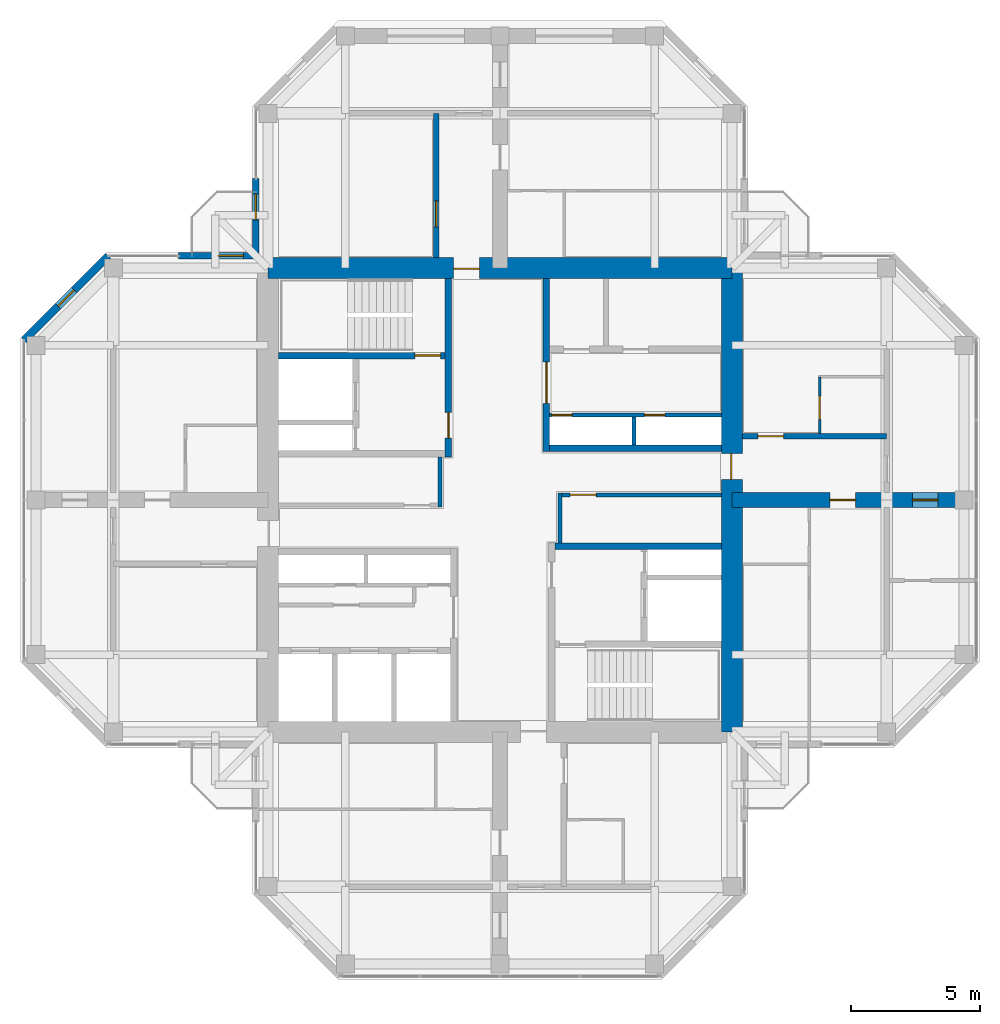
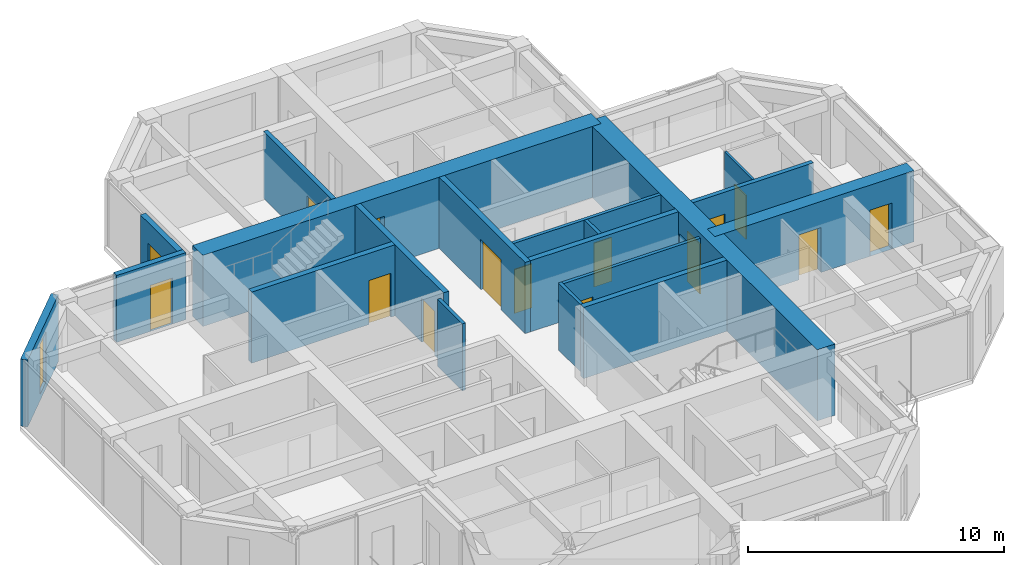
# One storey, part 10 of 13: 19 walls, 15 doors, 1 window, 16 openings.
"""IFC4 building model written with IfcOpenShell, lengths in metres."""

from ifc_helpers import new_model, si_unit, direction, frame, frame_2d, origin, place, context, subcontext, project, spatial, rectangle, hollow_rectangle, extrude, material, layer, layer_set, constituent, constituent_set, type_object, element, fill, save


model = new_model("IFC4")

# Units and contexts
model_context = context("Model", 3, precision=1e-05, world=origin(), true_north=direction((0.0, 1.0)))
body_context = subcontext(model_context, "Body", "Model", "MODEL_VIEW")
ifc_project = project(units=[si_unit("LENGTHUNIT", "METRE"), si_unit("AREAUNIT", "SQUARE_METRE"), si_unit("VOLUMEUNIT", "CUBIC_METRE"), si_unit("PLANEANGLEUNIT", "RADIAN"), si_unit("MASSUNIT", "GRAM", prefix="KILO")], contexts=[model_context])

# Site, building, storey
site_placement = place(None, origin())
site = spatial("IfcSite", under=ifc_project, at=site_placement, CompositionType="ELEMENT")
building_placement = place(site_placement, origin())
building = spatial("IfcBuilding", under=site, at=building_placement, Name="Torre Cruceta", CompositionType="ELEMENT")
storey_placement = place(building_placement, frame((0.0, 0.0, 284.89990234375)))
storey = spatial("IfcBuildingStorey", under=building, at=storey_placement, Name="L74", CompositionType="ELEMENT", Elevation=284.89990234375)

# Wall, opening, door
ifc_material_1 = material(Name="Water-resistant plasterboard on steel studs", Category="steel")
ifc_layer_1 = layer(ifc_material_1, 0.10009765625)
ifc_layer_set_1 = layer_set([ifc_layer_1], Name="Water-resistant plasterboard on steel studs")
wall_type_1 = type_object("IfcWallType", Name="BATHROOM WALL 100", PredefinedType="PARTITIONING", material=ifc_layer_set_1)
wall_1_placement = place(storey_placement, frame((12.39990234375, 2.574951171875, 0.0), z_axis=(0.0, 0.0, 1.0), x_axis=(0.0, 1.0, 0.0)))
wall_1 = element("IfcWall", 1, at=wall_1_placement, inside=storey, type_object=wall_type_1, Name="PT4 L74-E-U1LBS", PredefinedType="PARTITIONING", context=body_context, shape_type="SweptSolid", body=[
    extrude(rectangle(XDim=2.199951171875, YDim=0.10009765625, at=frame_2d((1.10009765625, 0.0))), origin(), (0.0, 0.0, 1.0), 3.2001953125),
])
opening_1_placement = place(wall_1_placement, frame((0.550048828125, 0.0, 0.0)))
opening_1 = element("IfcOpeningElement", 2, at=opening_1_placement, cuts=wall_1, Name="Opening D7", PredefinedType="OPENING", context=body_context, shape_type="SweptSolid", body=[
    extrude(rectangle(XDim=0.89990234375, YDim=2.10009765625, at=frame_2d((0.449951171875, 1.050048828125))), frame((0.0, 0.06005859375, 0.0), z_axis=(0.0, -1.0, 0.0), x_axis=(1.0, 0.0, 0.0)), (0.0, 0.0, 1.0), 0.1201171875),
])
ifc_material_2 = material(Name="Timber door", Category="wood")
door_type_1 = type_object("IfcDoorType", Name="BATHROOM DOOR 900X2100", OperationType="SINGLE_SWING_LEFT", PredefinedType="DOOR", material=ifc_material_2)
door_1_placement = place(opening_1_placement, frame((0.89990234375, 0.0, 0.0), z_axis=(0.0, 0.0, 1.0), x_axis=(-1.0, 0.0, 0.0)))
door_1 = element("IfcDoor", 3, at=door_1_placement, inside=storey, type_object=door_type_1, Name="D7 L74-E-U1LBS-D1", OperationType="SINGLE_SWING_RIGHT", OverallHeight=2.10009765625, OverallWidth=0.89990234375, PredefinedType="DOOR", context=body_context, shape_type="SweptSolid", body=[
    extrude(rectangle(XDim=0.89990234375, YDim=2.10009765625, at=frame_2d((0.449951171875, 1.050048828125))), frame((0.0, 0.025146484375, 0.0), z_axis=(0.0, -1.0, 0.0), x_axis=(1.0, 0.0, 0.0)), (0.0, 0.0, 1.0), 0.050048828125),
])
fill(opening_1, door_1)

ifc_material_3 = material(Name="Concrete G60 (fck 60 MPa)", Category="concrete")
ifc_layer_2 = layer(ifc_material_3, 0.25)
ifc_layer_set_2 = layer_set([ifc_layer_2], Name="Concrete G60 (fck 60 MPa)")
wall_type_2 = type_object("IfcWallType", Name="CORE INNER WALL 250 G60", PredefinedType="SHEAR", material=ifc_layer_set_2)
wall_2_placement = place(storey_placement, frame((1.800048828125, 1.875, 0.0), z_axis=(0.0, 0.0, 1.0), x_axis=(0.0, 1.0, 0.0)))
wall_2 = element("IfcWall", 4, at=wall_2_placement, inside=storey, type_object=wall_type_2, Name="CW4 L74 NE-CU", PredefinedType="SHEAR", context=body_context, shape_type="SweptSolid", body=[
    extrude(rectangle(XDim=6.72509765625, YDim=0.25, at=frame_2d((3.362548828125, 0.0))), origin(), (0.0, 0.0, 1.0), 3.400146484375),
])
opening_2_placement = place(wall_2_placement, frame((1.875, 0.0, 0.0)))
opening_2 = element("IfcOpeningElement", 5, at=opening_2_placement, cuts=wall_2, Name="Opening D15", PredefinedType="OPENING", context=body_context, shape_type="SweptSolid", body=[
    extrude(rectangle(XDim=1.60009765625, YDim=2.39990234375, at=frame_2d((0.800048828125, 1.199951171875))), frame((0.0, 0.135009765625, 0.0), z_axis=(0.0, -1.0, 0.0), x_axis=(1.0, 0.0, 0.0)), (0.0, 0.0, 1.0), 0.27001953125),
])
ifc_material_4 = material(Name="Steel DX51D", Category="steel")
ifc_constituent_1 = constituent(ifc_material_4, Name="Leaf and frame")
ifc_material_5 = material(Name="Polyester powder coating", Category="paint")
ifc_constituent_2 = constituent(ifc_material_5, Name="Finish")
ifc_constituent_set_1 = constituent_set(constituents=[ifc_constituent_1, ifc_constituent_2], Name="Steel fire door")
door_type_2 = type_object("IfcDoorType", Name="CORE ROOM DOUBLE DOOR 1600X2400", OperationType="DOUBLE_DOOR_SINGLE_SWING", PredefinedType="DOOR", material=ifc_constituent_set_1)
door_2_placement = place(opening_2_placement, frame((1.60009765625, 0.0, 0.0), z_axis=(0.0, 0.0, 1.0), x_axis=(-1.0, 0.0, 0.0)))
door_2 = element("IfcDoor", 6, at=door_2_placement, inside=storey, type_object=door_type_2, Name="D15 L74 NE-LOBBY", OperationType="DOUBLE_DOOR_SINGLE_SWING", OverallHeight=2.39990234375, OverallWidth=1.60009765625, PredefinedType="DOOR", context=body_context, shape_type="SweptSolid", body=[
    extrude(rectangle(XDim=1.60009765625, YDim=2.39990234375, at=frame_2d((0.800048828125, 1.199951171875))), frame((0.0, 0.025146484375, 0.0), z_axis=(0.0, -1.0, 0.0), x_axis=(1.0, 0.0, 0.0)), (0.0, 0.0, 1.0), 0.050048828125),
])
fill(opening_2, door_2)

# Wall
wall_3_placement = place(storey_placement, frame((1.925048828125, 2.0, 0.0), z_axis=(0.0, 0.0, 1.0), x_axis=(1.0, 0.0, 0.0)))
element("IfcWall", 7, at=wall_3_placement, inside=storey, type_object=wall_type_2, Name="CW4 L74 NE-CV", PredefinedType="SHEAR", context=body_context, shape_type="SweptSolid", body=[
    extrude(rectangle(XDim=6.675048828125, YDim=0.25, at=frame_2d((3.33740234375, 0.0))), origin(), (0.0, 0.0, 1.0), 3.400146484375),
])

# Wall, opening, door
wall_4_placement = place(storey_placement, frame((-2.0, 1.675048828125, 0.0), z_axis=(0.0, 0.0, 1.0), x_axis=(0.0, 1.0, 0.0)))
wall_4 = element("IfcWall", 8, at=wall_4_placement, inside=storey, type_object=wall_type_2, Name="CW4 L74 NW-CU", PredefinedType="SHEAR", context=body_context, shape_type="SweptSolid", body=[
    extrude(rectangle(XDim=6.925048828125, YDim=0.25, at=frame_2d((3.46240234375, 0.0))), origin(), (0.0, 0.0, 1.0), 3.400146484375),
])
opening_3_placement = place(wall_4_placement, frame((0.72509765625, 0.0, 0.0)))
opening_3 = element("IfcOpeningElement", 9, at=opening_3_placement, cuts=wall_4, Name="Opening D3", PredefinedType="OPENING", context=body_context, shape_type="SweptSolid", body=[
    extrude(rectangle(XDim=1.0, YDim=2.10009765625, at=frame_2d((0.5, 1.050048828125))), frame((0.0, 0.135009765625, 0.0), z_axis=(0.0, -1.0, 0.0), x_axis=(1.0, 0.0, 0.0)), (0.0, 0.0, 1.0), 0.27001953125),
])
ifc_material_6 = material(Name="Steel DX51D", Category="steel")
ifc_constituent_3 = constituent(ifc_material_6, Name="Leaf and frame")
ifc_material_7 = material(Name="Polyester powder coating", Category="paint")
ifc_constituent_4 = constituent(ifc_material_7, Name="Finish")
ifc_constituent_set_2 = constituent_set(constituents=[ifc_constituent_3, ifc_constituent_4], Name="Steel fire door")
door_type_3 = type_object("IfcDoorType", Name="FIRE DOOR 1000X2100", OperationType="SINGLE_SWING_LEFT", PredefinedType="DOOR", material=ifc_constituent_set_2)
door_3_placement = place(opening_3_placement, origin())
door_3 = element("IfcDoor", 10, at=door_3_placement, inside=storey, type_object=door_type_3, Name="D3 L74 NW-LOBBY", OperationType="SINGLE_SWING_LEFT", OverallHeight=2.10009765625, OverallWidth=1.0, PredefinedType="DOOR", context=body_context, shape_type="SweptSolid", body=[
    extrude(rectangle(XDim=1.0, YDim=2.10009765625, at=frame_2d((0.5, 1.050048828125))), frame((0.0, 0.02490234375, 0.0), z_axis=(0.0, -1.0, 0.0), x_axis=(1.0, 0.0, 0.0)), (0.0, 0.0, 1.0), 0.050048828125),
])
fill(opening_3, door_3)

wall_5_placement = place(storey_placement, frame((-2.125, 5.60009765625, 0.0), z_axis=(0.0, 0.0, 1.0), x_axis=(-1.0, 0.0, 0.0)))
wall_5 = element("IfcWall", 11, at=wall_5_placement, inside=storey, type_object=wall_type_2, Name="CW4 L74 NW-SV", PredefinedType="SHEAR", context=body_context, shape_type="SweptSolid", body=[
    extrude(rectangle(XDim=6.47509765625, YDim=0.25, at=frame_2d((3.237548828125, 0.0))), origin(), (0.0, 0.0, 1.0), 3.400146484375),
])
opening_4_placement = place(wall_5_placement, frame((0.175048828125, 0.0, 0.0)))
opening_4 = element("IfcOpeningElement", 12, at=opening_4_placement, cuts=wall_5, Name="Opening D3", PredefinedType="OPENING", context=body_context, shape_type="SweptSolid", body=[
    extrude(rectangle(XDim=1.0, YDim=2.10009765625, at=frame_2d((0.5, 1.050048828125))), frame((0.0, 0.135009765625, 0.0), z_axis=(0.0, -1.0, 0.0), x_axis=(1.0, 0.0, 0.0)), (0.0, 0.0, 1.0), 0.27001953125),
])
door_4_placement = place(opening_4_placement, frame((1.0, 0.0, 0.0), z_axis=(0.0, 0.0, 1.0), x_axis=(-1.0, 0.0, 0.0)))
door_4 = element("IfcDoor", 13, at=door_4_placement, inside=storey, type_object=door_type_3, Name="D3 L74 NW-STAIR", OperationType="SINGLE_SWING_RIGHT", OverallHeight=2.10009765625, OverallWidth=1.0, PredefinedType="DOOR", context=body_context, shape_type="SweptSolid", body=[
    extrude(rectangle(XDim=1.0, YDim=2.10009765625, at=frame_2d((0.5, 1.050048828125))), frame((0.0, 0.025146484375, 0.0), z_axis=(0.0, -1.0, 0.0), x_axis=(1.0, 0.0, 0.0)), (0.0, 0.0, 1.0), 0.050048828125),
])
fill(opening_4, door_4)

# Wall
wall_6_placement = place(storey_placement, frame((2.125, -1.800048828125, 0.0), z_axis=(0.0, 0.0, 1.0), x_axis=(1.0, 0.0, 0.0)))
element("IfcWall", 14, at=wall_6_placement, inside=storey, type_object=wall_type_2, Name="CW4 L74 SE-CV", PredefinedType="SHEAR", context=body_context, shape_type="SweptSolid", body=[
    extrude(rectangle(XDim=6.47509765625, YDim=0.25, at=frame_2d((3.237548828125, 0.0))), origin(), (0.0, 0.0, 1.0), 3.400146484375),
])

# Wall, opening, door
ifc_material_8 = material(Name="Concrete G60 (fck 60 MPa)", Category="concrete")
ifc_layer_3 = layer(ifc_material_8, 0.800048828125)
ifc_layer_set_3 = layer_set([ifc_layer_3], Name="Concrete G60 (fck 60 MPa)")
wall_type_3 = type_object("IfcWallType", Name="CORE WALL 800 G60", PredefinedType="SHEAR", material=ifc_layer_set_3)
wall_7_placement = place(storey_placement, frame((9.0, 9.0, 0.0), z_axis=(0.0, 0.0, 1.0), x_axis=(-1.0, 0.0, 0.0)))
wall_7 = element("IfcWall", 15, at=wall_7_placement, inside=storey, type_object=wall_type_3, Name="CW3 L74 CW-N", PredefinedType="SHEAR", context=body_context, shape_type="SweptSolid", body=[
    extrude(rectangle(XDim=18.0, YDim=0.800048828125, at=frame_2d((9.0, 0.0))), origin(), (0.0, 0.0, 1.0), 3.400146484375),
])
opening_5_placement = place(wall_7_placement, frame((9.800048828125, 0.0, 0.0)))
opening_5 = element("IfcOpeningElement", 16, at=opening_5_placement, cuts=wall_7, Name="Opening D4", PredefinedType="OPENING", context=body_context, shape_type="SweptSolid", body=[
    extrude(rectangle(XDim=1.0, YDim=2.39990234375, at=frame_2d((0.5, 1.199951171875))), frame((0.0, 0.409912109375, 0.0), z_axis=(0.0, -1.0, 0.0), x_axis=(1.0, 0.0, 0.0)), (0.0, 0.0, 1.0), 0.820068359375),
])
ifc_material_9 = material(Name="Steel DX51D", Category="steel")
ifc_constituent_5 = constituent(ifc_material_9, Name="Leaf and frame")
ifc_material_10 = material(Name="Polyester powder coating", Category="paint")
ifc_constituent_6 = constituent(ifc_material_10, Name="Finish")
ifc_constituent_set_3 = constituent_set(constituents=[ifc_constituent_5, ifc_constituent_6], Name="Steel fire door")
door_type_4 = type_object("IfcDoorType", Name="CORE ARM DOOR 1000X2400", OperationType="SINGLE_SWING_RIGHT", PredefinedType="DOOR", material=ifc_constituent_set_3)
door_5_placement = place(opening_5_placement, origin())
door_5 = element("IfcDoor", 17, at=door_5_placement, inside=storey, type_object=door_type_4, Name="D4 L74 CW-N", OperationType="SINGLE_SWING_RIGHT", OverallHeight=2.39990234375, OverallWidth=1.0, PredefinedType="DOOR", context=body_context, shape_type="SweptSolid", body=[
    extrude(rectangle(XDim=1.0, YDim=2.39990234375, at=frame_2d((0.5, 1.199951171875))), frame((0.0, 0.05517578125, 0.0), z_axis=(0.0, -1.0, 0.0), x_axis=(1.0, 0.0, 0.0)), (0.0, 0.0, 1.0), 0.050048828125),
])
fill(opening_5, door_5)

wall_8_placement = place(storey_placement, frame((9.0, -9.0, 0.0), z_axis=(0.0, 0.0, 1.0), x_axis=(0.0, 1.0, 0.0)))
wall_8 = element("IfcWall", 18, at=wall_8_placement, inside=storey, type_object=wall_type_3, Name="CW3 L74 CW-E", PredefinedType="SHEAR", context=body_context, shape_type="SweptSolid", body=[
    extrude(rectangle(XDim=18.0, YDim=0.800048828125, at=frame_2d((9.0, 0.0))), origin(), (0.0, 0.0, 1.0), 3.400146484375),
])
opening_6_placement = place(wall_8_placement, frame((9.800048828125, 0.0, 0.0)))
opening_6 = element("IfcOpeningElement", 19, at=opening_6_placement, cuts=wall_8, Name="Opening D4", PredefinedType="OPENING", context=body_context, shape_type="SweptSolid", body=[
    extrude(rectangle(XDim=1.0, YDim=2.39990234375, at=frame_2d((0.5, 1.199951171875))), frame((0.0, 0.409912109375, 0.0), z_axis=(0.0, -1.0, 0.0), x_axis=(1.0, 0.0, 0.0)), (0.0, 0.0, 1.0), 0.820068359375),
])
door_6_placement = place(opening_6_placement, origin())
door_6 = element("IfcDoor", 20, at=door_6_placement, inside=storey, type_object=door_type_4, Name="D4 L74 CW-E", OperationType="SINGLE_SWING_RIGHT", OverallHeight=2.39990234375, OverallWidth=1.0, PredefinedType="DOOR", context=body_context, shape_type="SweptSolid", body=[
    extrude(rectangle(XDim=1.0, YDim=2.39990234375, at=frame_2d((0.5, 1.199951171875))), frame((0.0, 0.05517578125, 0.0), z_axis=(0.0, -1.0, 0.0), x_axis=(1.0, 0.0, 0.0)), (0.0, 0.0, 1.0), 0.050048828125),
])
fill(opening_6, door_6)

ifc_material_11 = material(Name="Concrete G25 (fck 25 MPa)", Category="concrete")
ifc_layer_4 = layer(ifc_material_11, 0.199951171875)
ifc_layer_set_4 = layer_set([ifc_layer_4], Name="Concrete G25 (fck 25 MPa)")
wall_type_4 = type_object("IfcWallType", Name="CORRIDOR WALL 200", PredefinedType="SOLIDWALL", material=ifc_layer_set_4)
wall_9_placement = place(storey_placement, frame((-2.47509765625, 9.39990234375, 0.0), z_axis=(0.0, 0.0, 1.0), x_axis=(0.0, 1.0, 0.0)))
wall_9 = element("IfcWall", 21, at=wall_9_placement, inside=storey, type_object=wall_type_4, Name="PT3 L74-N-CL", PredefinedType="SOLIDWALL", context=body_context, shape_type="SweptSolid", body=[
    extrude(rectangle(XDim=5.60009765625, YDim=0.199951171875, at=frame_2d((2.800048828125, 0.0))), origin(), (0.0, 0.0, 1.0), 3.2001953125),
])
opening_7_placement = place(wall_9_placement, frame((1.199951171875, 0.0, 0.0)))
opening_7 = element("IfcOpeningElement", 22, at=opening_7_placement, cuts=wall_9, Name="Opening D14", PredefinedType="OPENING", context=body_context, shape_type="SweptSolid", body=[
    extrude(rectangle(XDim=1.0, YDim=2.199951171875, at=frame_2d((0.5, 1.10009765625))), frame((0.0, 0.10986328125, 0.0), z_axis=(0.0, -1.0, 0.0), x_axis=(1.0, 0.0, 0.0)), (0.0, 0.0, 1.0), 0.219970703125),
])
ifc_material_12 = material(Name="Steel DX51D", Category="steel")
ifc_constituent_7 = constituent(ifc_material_12, Name="Leaf and frame")
ifc_material_13 = material(Name="Polyester powder coating", Category="paint")
ifc_constituent_8 = constituent(ifc_material_13, Name="Finish")
ifc_material_14 = material(Name="Fire-resisting glass", Category="glass")
ifc_constituent_9 = constituent(ifc_material_14, Name="Vision panel")
ifc_constituent_set_4 = constituent_set(constituents=[ifc_constituent_7, ifc_constituent_8, ifc_constituent_9], Name="Steel fire door with vision panel")
door_type_5 = type_object("IfcDoorType", Name="FIRE DOOR VISION PANEL 1000X2200", OperationType="SINGLE_SWING_RIGHT", PredefinedType="DOOR", material=ifc_constituent_set_4)
door_7_placement = place(opening_7_placement, origin())
door_7 = element("IfcDoor", 23, at=door_7_placement, inside=storey, type_object=door_type_5, Name="D14 L74-N-CL-D1", OperationType="SINGLE_SWING_LEFT", OverallHeight=2.199951171875, OverallWidth=1.0, PredefinedType="DOOR", context=body_context, shape_type="SweptSolid", body=[
    extrude(rectangle(XDim=1.0, YDim=2.199951171875, at=frame_2d((0.5, 1.10009765625))), frame((0.0, 0.02490234375, 0.0), z_axis=(0.0, -1.0, 0.0), x_axis=(1.0, 0.0, 0.0)), (0.0, 0.0, 1.0), 0.050048828125),
])
fill(opening_7, door_7)

wall_10_placement = place(storey_placement, frame((9.39990234375, 2.47509765625, 0.0), z_axis=(0.0, 0.0, 1.0), x_axis=(1.0, 0.0, 0.0)))
wall_10 = element("IfcWall", 24, at=wall_10_placement, inside=storey, type_object=wall_type_4, Name="PT3 L74-E-CL", PredefinedType="SOLIDWALL", context=body_context, shape_type="SweptSolid", body=[
    extrude(rectangle(XDim=5.60009765625, YDim=0.199951171875, at=frame_2d((2.800048828125, 0.0))), origin(), (0.0, 0.0, 1.0), 3.2001953125),
])
opening_8_placement = place(wall_10_placement, frame((0.60009765625, 0.0, 0.0)))
opening_8 = element("IfcOpeningElement", 25, at=opening_8_placement, cuts=wall_10, Name="Opening D6", PredefinedType="OPENING", context=body_context, shape_type="SweptSolid", body=[
    extrude(rectangle(XDim=1.0, YDim=2.14990234375, at=frame_2d((0.5, 1.074951171875))), frame((0.0, 0.10986328125, 0.0), z_axis=(0.0, -1.0, 0.0), x_axis=(1.0, 0.0, 0.0)), (0.0, 0.0, 1.0), 0.219970703125),
])
ifc_material_15 = material(Name="Timber fire door", Category="wood")
door_type_6 = type_object("IfcDoorType", Name="UNIT ENTRANCE DOOR 1000X2150", OperationType="SINGLE_SWING_LEFT", PredefinedType="DOOR", material=ifc_material_15)
door_8_placement = place(opening_8_placement, origin())
door_8 = element("IfcDoor", 26, at=door_8_placement, inside=storey, type_object=door_type_6, Name="D6 L74-E-CL-D1", OperationType="SINGLE_SWING_LEFT", OverallHeight=2.14990234375, OverallWidth=1.0, PredefinedType="DOOR", context=body_context, shape_type="SweptSolid", body=[
    extrude(rectangle(XDim=1.0, YDim=2.14990234375, at=frame_2d((0.5, 1.074951171875))), frame((0.0, 0.02490234375, 0.0), z_axis=(0.0, -1.0, 0.0), x_axis=(1.0, 0.0, 0.0)), (0.0, 0.0, 1.0), 0.050048828125),
])
fill(opening_8, door_8)

# Wall, opening, window
ifc_material_16 = material(Name="Concrete G30 (fck 30 MPa)", Category="concrete")
ifc_layer_5 = layer(ifc_material_16, 0.300048828125)
ifc_layer_set_5 = layer_set([ifc_layer_5], Name="Concrete G30 (fck 30 MPa)")
wall_type_5 = type_object("IfcWallType", Name="EXPOSED CONCRETE FACADE WALL 300", PredefinedType="SOLIDWALL", material=ifc_layer_set_5)
wall_11_placement = place(storey_placement, frame((-15.194580078125, 9.469970703125, 0.0), z_axis=(0.0, 0.0, 1.0), x_axis=(-0.707106781187, -0.707106781187, 0.0)))
wall_11 = element("IfcWall", 27, at=wall_11_placement, inside=storey, type_object=wall_type_5, Name="EW1 facade wall L74 W chamfer 11", PredefinedType="SOLIDWALL", context=body_context, shape_type="SweptSolid", body=[
    extrude(rectangle(XDim=4.632080078125, YDim=0.300048828125, at=frame_2d((2.31591796875, 0.0))), origin(), (0.0, 0.0, 1.0), 3.2001953125),
])
opening_9_placement = place(wall_11_placement, frame((1.865966796875, 0.0, 0.300048828125)))
opening_9 = element("IfcOpeningElement", 28, at=opening_9_placement, cuts=wall_11, Name="Opening WN5", PredefinedType="OPENING", context=body_context, shape_type="SweptSolid", body=[
    extrude(rectangle(XDim=0.89990234375, YDim=2.39990234375, at=frame_2d((0.449951171875, 1.199951171875))), frame((0.0, 0.159912109375, 0.0), z_axis=(0.0, -1.0, 0.0), x_axis=(1.0, 0.0, 0.0)), (0.0, 0.0, 1.0), 0.320068359375),
])
ifc_material_17 = material(Name="Aluminium window frame", Category="aluminium")
ifc_constituent_10 = constituent(ifc_material_17, Name="Frame")
ifc_material_18 = material(Name="Laminated insulating glass unit, low-iron clear", Category="glass")
ifc_constituent_11 = constituent(ifc_material_18, Name="Glazing")
ifc_constituent_set_5 = constituent_set(constituents=[ifc_constituent_10, ifc_constituent_11], Name="Aluminium window")
window_type = type_object("IfcWindowType", Name="CHAMFER SLOT WINDOW 900X2400", PartitioningType="SINGLE_PANEL", PredefinedType="WINDOW", material=ifc_constituent_set_5)
window_placement = place(opening_9_placement, origin())
window = element("IfcWindow", 29, at=window_placement, inside=storey, type_object=window_type, Name="WN5 L74 W 1", OverallHeight=2.39990234375, OverallWidth=0.89990234375, PartitioningType="SINGLE_PANEL", PredefinedType="WINDOW", context=body_context, shape_type="SweptSolid", body=[
    extrude(hollow_rectangle(XDim=0.89990234375, YDim=2.39990234375, WallThickness=0.06005859375, at=frame_2d((0.449951171875, 1.199951171875))), frame((0.0, 0.030029296875, 0.0), z_axis=(0.0, -1.0, 0.0), x_axis=(1.0, 0.0, 0.0)), (0.0, 0.0, 1.0), 0.06005859375),
    extrude(rectangle(XDim=0.77880859375, YDim=2.27880859375, at=frame_2d((0.449951171875, 1.199951171875))), frame((0.0, 0.030029296875, 0.0), z_axis=(0.0, -1.0, 0.0), x_axis=(1.0, 0.0, 0.0)), (0.0, 0.0, 1.0), 0.06005859375),
])
fill(opening_9, window)

# Wall, opening, door
ifc_material_19 = material(Name="Plasterboard on steel studs", Category="steel")
ifc_layer_6 = layer(ifc_material_19, 0.14990234375)
ifc_layer_set_6 = layer_set([ifc_layer_6], Name="Plasterboard on steel studs")
wall_type_6 = type_object("IfcWallType", Name="PARTITION 150", PredefinedType="PARTITIONING", material=ifc_layer_set_6)
wall_12_placement = place(storey_placement, frame((2.324951171875, 0.199951171875, 0.0), z_axis=(0.0, 0.0, 1.0), x_axis=(1.0, 0.0, 0.0)))
wall_12 = element("IfcWall", 30, at=wall_12_placement, inside=storey, type_object=wall_type_6, Name="PT1 L74-CORE-LEGE-S-W1", PredefinedType="PARTITIONING", context=body_context, shape_type="SweptSolid", body=[
    extrude(rectangle(XDim=6.275146484375, YDim=0.14990234375, at=frame_2d((3.1376953125, 0.0))), origin(), (0.0, 0.0, 1.0), 3.2001953125),
])
opening_10_placement = place(wall_12_placement, frame((0.39990234375, 0.0, 0.0)))
opening_10 = element("IfcOpeningElement", 31, at=opening_10_placement, cuts=wall_12, Name="Opening D3", PredefinedType="OPENING", context=body_context, shape_type="SweptSolid", body=[
    extrude(rectangle(XDim=1.0, YDim=2.10009765625, at=frame_2d((0.5, 1.050048828125))), frame((0.0, 0.0849609375, 0.0), z_axis=(0.0, -1.0, 0.0), x_axis=(1.0, 0.0, 0.0)), (0.0, 0.0, 1.0), 0.169921875),
])
door_9_placement = place(opening_10_placement, frame((1.0, 0.0, 0.0), z_axis=(0.0, 0.0, 1.0), x_axis=(-1.0, 0.0, 0.0)))
door_9 = element("IfcDoor", 32, at=door_9_placement, inside=storey, type_object=door_type_3, Name="D3 L74-CORE-LEGE-S-W1-D1", OperationType="SINGLE_SWING_RIGHT", OverallHeight=2.10009765625, OverallWidth=1.0, PredefinedType="DOOR", context=body_context, shape_type="SweptSolid", body=[
    extrude(rectangle(XDim=1.0, YDim=2.10009765625, at=frame_2d((0.5, 1.050048828125))), frame((0.0, 0.025146484375, 0.0), z_axis=(0.0, -1.0, 0.0), x_axis=(1.0, 0.0, 0.0)), (0.0, 0.0, 1.0), 0.050048828125),
])
fill(opening_10, door_9)

# Walls
for number, where, z_axis, x_axis, name in (
    (33, (2.324951171875, -1.675048828125, 0.0), (0.0, 0.0, 1.0), (0.0, 1.0, 0.0), "PT1 L74-CORE-LEGE-S-W2"),
    (34, (-2.324951171875, 1.675048828125, 0.0), (0.0, 0.0, 1.0), (0.0, -1.0, 0.0), "PT1 L74-CORE-LEGW-N-W2"),
):
    element("IfcWall", number, at=place(storey_placement, frame(where, z_axis=z_axis, x_axis=x_axis)), inside=storey, type_object=wall_type_6, Name=name, PredefinedType="PARTITIONING", context=body_context, shape_type="SweptSolid", body=[
        extrude(rectangle(XDim=1.949951171875, YDim=0.14990234375, at=frame_2d((0.97509765625, 0.0))), origin(), (0.0, 0.0, 1.0), 3.2001953125),
    ])

# Wall, openings, doors
ifc_material_20 = material(Name="Concrete block masonry", Category="masonry")
ifc_layer_7 = layer(ifc_material_20, 0.14990234375)
ifc_layer_set_7 = layer_set([ifc_layer_7], Name="Concrete block masonry")
wall_type_7 = type_object("IfcWallType", Name="RISER WALL 150", PredefinedType="PARTITIONING", material=ifc_layer_set_7)
wall_13_placement = place(storey_placement, frame((1.925048828125, 3.300048828125, 0.0), z_axis=(0.0, 0.0, 1.0), x_axis=(1.0, 0.0, 0.0)))
wall_13 = element("IfcWall", 35, at=wall_13_placement, inside=storey, type_object=wall_type_7, Name="SW7 L74 NE-RV", PredefinedType="PARTITIONING", context=body_context, shape_type="SweptSolid", body=[
    extrude(rectangle(XDim=6.675048828125, YDim=0.14990234375, at=frame_2d((3.33740234375, 0.0))), origin(), (0.0, 0.0, 1.0), 3.400146484375),
])
opening_11_placement = place(wall_13_placement, frame((0.074951171875, 0.0, 0.0)))
opening_11 = element("IfcOpeningElement", 36, at=opening_11_placement, cuts=wall_13, Name="Opening D5", PredefinedType="OPENING", context=body_context, shape_type="SweptSolid", body=[
    extrude(rectangle(XDim=0.800048828125, YDim=2.10009765625, at=frame_2d((0.39990234375, 1.050048828125))), frame((0.0, 0.0849609375, 0.0), z_axis=(0.0, -1.0, 0.0), x_axis=(1.0, 0.0, 0.0)), (0.0, 0.0, 1.0), 0.169921875),
])
opening_12_placement = place(wall_13_placement, frame((3.675048828125, 0.0, 0.0)))
opening_12 = element("IfcOpeningElement", 37, at=opening_12_placement, cuts=wall_13, Name="Opening D5", PredefinedType="OPENING", context=body_context, shape_type="SweptSolid", body=[
    extrude(rectangle(XDim=0.800048828125, YDim=2.10009765625, at=frame_2d((0.39990234375, 1.050048828125))), frame((0.0, 0.0849609375, 0.0), z_axis=(0.0, -1.0, 0.0), x_axis=(1.0, 0.0, 0.0)), (0.0, 0.0, 1.0), 0.169921875),
])
ifc_material_21 = material(Name="Steel DX51D", Category="steel")
ifc_constituent_12 = constituent(ifc_material_21, Name="Leaf and frame")
ifc_material_22 = material(Name="Polyester powder coating", Category="paint")
ifc_constituent_13 = constituent(ifc_material_22, Name="Finish")
ifc_constituent_set_6 = constituent_set(constituents=[ifc_constituent_12, ifc_constituent_13], Name="Steel fire door")
door_type_7 = type_object("IfcDoorType", Name="RISER ACCESS DOOR 800X2100", OperationType="SINGLE_SWING_LEFT", PredefinedType="DOOR", material=ifc_constituent_set_6)
door_10_placement = place(opening_11_placement, frame((0.800048828125, 0.0, 0.0), z_axis=(0.0, 0.0, 1.0), x_axis=(-1.0, 0.0, 0.0)))
door_10 = element("IfcDoor", 38, at=door_10_placement, inside=storey, type_object=door_type_7, Name="D5 L74 NE-RISER1", OperationType="SINGLE_SWING_RIGHT", OverallHeight=2.10009765625, OverallWidth=0.800048828125, PredefinedType="DOOR", context=body_context, shape_type="SweptSolid", body=[
    extrude(rectangle(XDim=0.800048828125, YDim=2.10009765625, at=frame_2d((0.400146484375, 1.050048828125))), frame((0.0, 0.025146484375, 0.0), z_axis=(0.0, -1.0, 0.0), x_axis=(1.0, 0.0, 0.0)), (0.0, 0.0, 1.0), 0.050048828125),
])
fill(opening_11, door_10)
door_11_placement = place(opening_12_placement, frame((0.800048828125, 0.0, 0.0), z_axis=(0.0, 0.0, 1.0), x_axis=(-1.0, 0.0, 0.0)))
door_11 = element("IfcDoor", 39, at=door_11_placement, inside=storey, type_object=door_type_7, Name="D5 L74 NE-RISER2", OperationType="SINGLE_SWING_RIGHT", OverallHeight=2.10009765625, OverallWidth=0.800048828125, PredefinedType="DOOR", context=body_context, shape_type="SweptSolid", body=[
    extrude(rectangle(XDim=0.800048828125, YDim=2.10009765625, at=frame_2d((0.400146484375, 1.050048828125))), frame((0.0, 0.025146484375, 0.0), z_axis=(0.0, -1.0, 0.0), x_axis=(1.0, 0.0, 0.0)), (0.0, 0.0, 1.0), 0.050048828125),
])
fill(opening_12, door_11)

# Wall
wall_14_placement = place(storey_placement, frame((5.199951171875, 2.125, 0.0), z_axis=(0.0, 0.0, 1.0), x_axis=(0.0, 1.0, 0.0)))
element("IfcWall", 40, at=wall_14_placement, inside=storey, type_object=wall_type_7, Name="SW7 L74 NE-RU", PredefinedType="PARTITIONING", context=body_context, shape_type="SweptSolid", body=[
    extrude(rectangle(XDim=1.10009765625, YDim=0.14990234375, at=frame_2d((0.550048828125, 0.0))), origin(), (0.0, 0.0, 1.0), 3.400146484375),
])

# Wall, openings, doors
ifc_material_23 = material(Name="Concrete G60 (fck 60 MPa)", Category="concrete")
ifc_layer_8 = layer(ifc_material_23, 0.60009765625)
ifc_layer_set_8 = layer_set([ifc_layer_8], Name="Concrete G60 (fck 60 MPa)")
wall_type_8 = type_object("IfcWallType", Name="SPINE WALL 600 G60", PredefinedType="SHEAR", material=ifc_layer_set_8)
wall_15_placement = place(storey_placement, frame((9.0, 0.0, 0.0), z_axis=(0.0, 0.0, 1.0), x_axis=(1.0, 0.0, 0.0)))
wall_15 = element("IfcWall", 41, at=wall_15_placement, inside=storey, type_object=wall_type_8, Name="SW5 spine wall L74 E", PredefinedType="SHEAR", context=body_context, shape_type="SweptSolid", body=[
    extrude(rectangle(XDim=9.0, YDim=0.60009765625, at=frame_2d((4.5, 0.0))), origin(), (0.0, 0.0, 1.0), 3.400146484375),
])
opening_13_placement = place(wall_15_placement, frame((3.800048828125, 0.0, 0.0)))
opening_13 = element("IfcOpeningElement", 42, at=opening_13_placement, cuts=wall_15, Name="Opening D6", PredefinedType="OPENING", context=body_context, shape_type="SweptSolid", body=[
    extrude(rectangle(XDim=1.0, YDim=2.14990234375, at=frame_2d((0.5, 1.074951171875))), frame((0.0, 0.31005859375, 0.0), z_axis=(0.0, -1.0, 0.0), x_axis=(1.0, 0.0, 0.0)), (0.0, 0.0, 1.0), 0.6201171875),
])
opening_14_placement = place(wall_15_placement, frame((7.0, 0.0, 0.0)))
opening_14 = element("IfcOpeningElement", 43, at=opening_14_placement, cuts=wall_15, Name="Opening D14", PredefinedType="OPENING", context=body_context, shape_type="SweptSolid", body=[
    extrude(rectangle(XDim=1.0, YDim=2.199951171875, at=frame_2d((0.5, 1.10009765625))), frame((0.0, 0.31005859375, 0.0), z_axis=(0.0, -1.0, 0.0), x_axis=(1.0, 0.0, 0.0)), (0.0, 0.0, 1.0), 0.6201171875),
])
door_12_placement = place(opening_14_placement, frame((1.0, 0.0, 0.0), z_axis=(0.0, 0.0, 1.0), x_axis=(-1.0, 0.0, 0.0)))
door_12 = element("IfcDoor", 44, at=door_12_placement, inside=storey, type_object=door_type_5, Name="D14 L74-E-SP2", OperationType="SINGLE_SWING_RIGHT", OverallHeight=2.199951171875, OverallWidth=1.0, PredefinedType="DOOR", context=body_context, shape_type="SweptSolid", body=[
    extrude(rectangle(XDim=1.0, YDim=2.199951171875, at=frame_2d((0.5, 1.10009765625))), frame((0.0, 0.025146484375, 0.0), z_axis=(0.0, -1.0, 0.0), x_axis=(1.0, 0.0, 0.0)), (0.0, 0.0, 1.0), 0.050048828125),
])
fill(opening_14, door_12)
door_13_placement = place(opening_13_placement, frame((1.0, 0.0, 0.0), z_axis=(0.0, 0.0, 1.0), x_axis=(-1.0, 0.0, 0.0)))
door_13 = element("IfcDoor", 45, at=door_13_placement, inside=storey, type_object=door_type_6, Name="D6 L74-E-SP1", OperationType="SINGLE_SWING_RIGHT", OverallHeight=2.14990234375, OverallWidth=1.0, PredefinedType="DOOR", context=body_context, shape_type="SweptSolid", body=[
    extrude(rectangle(XDim=1.0, YDim=2.14990234375, at=frame_2d((0.5, 1.074951171875))), frame((0.0, 0.025146484375, 0.0), z_axis=(0.0, -1.0, 0.0), x_axis=(1.0, 0.0, 0.0)), (0.0, 0.0, 1.0), 0.050048828125),
])
fill(opening_13, door_13)

# Wall, opening, door
ifc_material_24 = material(Name="Concrete G30 (fck 30 MPa)", Category="concrete")
ifc_layer_9 = layer(ifc_material_24, 0.25)
ifc_layer_set_9 = layer_set([ifc_layer_9], Name="Concrete G30 (fck 30 MPa)")
wall_type_9 = type_object("IfcWallType", Name="WINTER GARDEN WALL 250", PredefinedType="SOLIDWALL", material=ifc_layer_set_9)
wall_16_placement = place(storey_placement, frame((-9.469970703125, 12.469970703125, 0.0), z_axis=(0.0, 0.0, 1.0), x_axis=(0.0, -1.0, 0.0)))
wall_16 = element("IfcWall", 46, at=wall_16_placement, inside=storey, type_object=wall_type_9, Name="EW2 winter garden wall L74 09", PredefinedType="SOLIDWALL", context=body_context, shape_type="SweptSolid", body=[
    extrude(rectangle(XDim=2.875, YDim=0.25, at=frame_2d((1.4375, 0.0))), origin(), (0.0, 0.0, 1.0), 3.2001953125),
])
opening_15_placement = place(wall_16_placement, frame((0.60009765625, 0.0, 0.0)))
opening_15 = element("IfcOpeningElement", 47, at=opening_15_placement, cuts=wall_16, Name="Opening D10", PredefinedType="OPENING", context=body_context, shape_type="SweptSolid", body=[
    extrude(rectangle(XDim=1.0, YDim=2.199951171875, at=frame_2d((0.5, 1.10009765625))), frame((0.0, 0.135009765625, 0.0), z_axis=(0.0, -1.0, 0.0), x_axis=(1.0, 0.0, 0.0)), (0.0, 0.0, 1.0), 0.27001953125),
])
ifc_material_25 = material(Name="Aluminium door frame", Category="aluminium")
ifc_constituent_14 = constituent(ifc_material_25, Name="Frame")
ifc_material_26 = material(Name="Laminated safety glass", Category="glass")
ifc_constituent_15 = constituent(ifc_material_26, Name="Glazing")
ifc_constituent_set_7 = constituent_set(constituents=[ifc_constituent_14, ifc_constituent_15], Name="Aluminium glazed door")
door_type_8 = type_object("IfcDoorType", Name="BALCONY DOOR 1000X2200", OperationType="SINGLE_SWING_RIGHT", PredefinedType="DOOR", material=ifc_constituent_set_7)
door_14_placement = place(opening_15_placement, origin())
door_14 = element("IfcDoor", 48, at=door_14_placement, inside=storey, type_object=door_type_8, Name="D10 balcony door L74 09", OperationType="SINGLE_SWING_RIGHT", OverallHeight=2.199951171875, OverallWidth=1.0, PredefinedType="DOOR", context=body_context, shape_type="SweptSolid", body=[
    extrude(hollow_rectangle(XDim=1.0, YDim=2.199951171875, WallThickness=0.06005859375, at=frame_2d((0.5, 1.10009765625))), frame((0.0, 0.02490234375, 0.0), z_axis=(0.0, -1.0, 0.0), x_axis=(1.0, 0.0, 0.0)), (0.0, 0.0, 1.0), 0.050048828125),
    extrude(rectangle(XDim=0.87890625, YDim=2.078857421875, at=frame_2d((0.5, 1.10009765625))), frame((0.0, 0.02490234375, 0.0), z_axis=(0.0, -1.0, 0.0), x_axis=(1.0, 0.0, 0.0)), (0.0, 0.0, 1.0), 0.050048828125),
])
fill(opening_15, door_14)

wall_17_placement = place(storey_placement, frame((-9.344970703125, 9.469970703125, 0.0), z_axis=(0.0, 0.0, 1.0), x_axis=(-1.0, 0.0, 0.0)))
wall_17 = element("IfcWall", 49, at=wall_17_placement, inside=storey, type_object=wall_type_9, Name="EW2 winter garden wall L74 10", PredefinedType="SOLIDWALL", context=body_context, shape_type="SweptSolid", body=[
    extrude(rectangle(XDim=3.125, YDim=0.25, at=frame_2d((1.5625, 0.0))), origin(), (0.0, 0.0, 1.0), 3.2001953125),
])
opening_16_placement = place(wall_17_placement, frame((0.60009765625, 0.0, 0.0)))
opening_16 = element("IfcOpeningElement", 50, at=opening_16_placement, cuts=wall_17, Name="Opening D10", PredefinedType="OPENING", context=body_context, shape_type="SweptSolid", body=[
    extrude(rectangle(XDim=1.0, YDim=2.199951171875, at=frame_2d((0.5, 1.10009765625))), frame((0.0, 0.135009765625, 0.0), z_axis=(0.0, -1.0, 0.0), x_axis=(1.0, 0.0, 0.0)), (0.0, 0.0, 1.0), 0.27001953125),
])
door_15_placement = place(opening_16_placement, origin())
door_15 = element("IfcDoor", 51, at=door_15_placement, inside=storey, type_object=door_type_8, Name="D10 balcony door L74 10", OperationType="SINGLE_SWING_LEFT", OverallHeight=2.199951171875, OverallWidth=1.0, PredefinedType="DOOR", context=body_context, shape_type="SweptSolid", body=[
    extrude(hollow_rectangle(XDim=1.0, YDim=2.199951171875, WallThickness=0.06005859375, at=frame_2d((0.5, 1.10009765625))), frame((0.0, 0.02490234375, 0.0), z_axis=(0.0, -1.0, 0.0), x_axis=(1.0, 0.0, 0.0)), (0.0, 0.0, 1.0), 0.050048828125),
    extrude(rectangle(XDim=0.87890625, YDim=2.078857421875, at=frame_2d((0.5, 1.10009765625))), frame((0.0, 0.02490234375, 0.0), z_axis=(0.0, -1.0, 0.0), x_axis=(1.0, 0.0, 0.0)), (0.0, 0.0, 1.0), 0.050048828125),
])
fill(opening_16, door_15)

save(model, "model.ifc")
